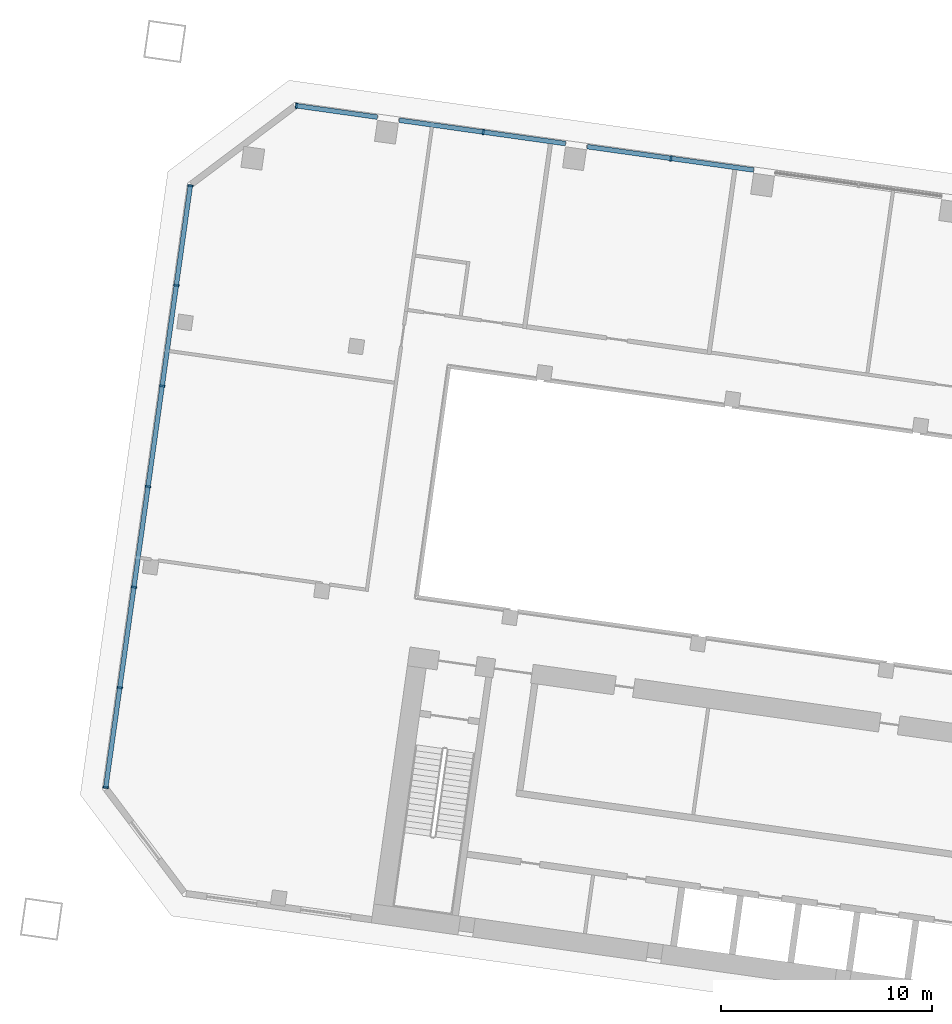
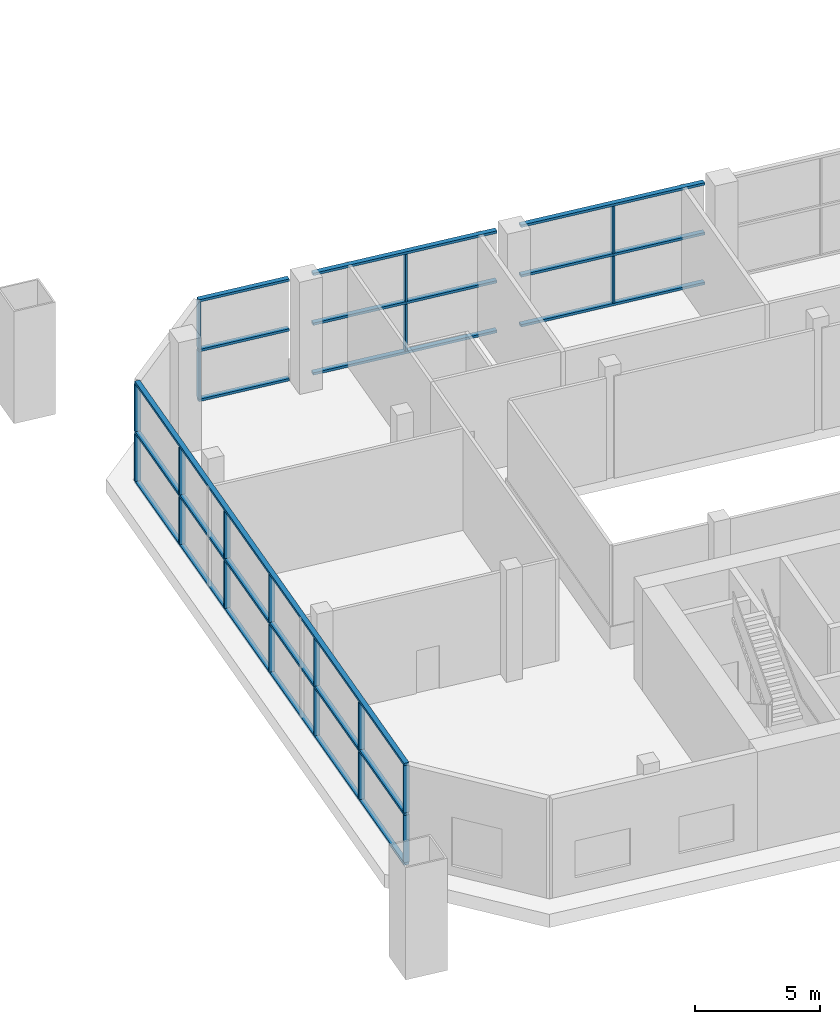
# One storey, part 2 of 23: 32 members, 2 elements without a shape of their own.
"""IFC4 building model written with IfcOpenShell, lengths in metres."""

import ifcopenshell
import ifcopenshell.guid

model = None  # the IFC model being written
_history = None  # IfcOwnerHistory: only IFC2X3 demands one
_inside = {}  # id of a spatial element -> (the spatial element, [elements in it])
_under = {}  # id of a project, library or spatial element -> (it, [spatial elements below it])
_declared = {}  # id of a project -> (the project, [libraries it declares])
_typed = {}  # id of a type object -> (the type object, [elements of that type])
_made_of = {}  # id of a material, layer set ... -> (it, [elements and type objects made of it])


def new_model(schema):
    """Start an empty IFC model of exactly this schema.

    Asked for "IFC4X3", IfcOpenShell would pick the latest addendum, in which some entities
    have other attributes; the version numbers below select the first issue.
    IFC2X3 requires an IfcOwnerHistory on every rooted entity: one is made here for all.
    """
    global model, _history
    if schema == "IFC4X3":
        model = ifcopenshell.file(schema_version=(4, 3, 0, 0))
    else:
        model = ifcopenshell.file(schema=schema)
    _inside.clear()
    _under.clear()
    _declared.clear()
    _typed.clear()
    _made_of.clear()
    _history = None
    if model.schema == "IFC2X3":
        org = make("IfcOrganization", Name="unknown")
        user = make(
            "IfcPersonAndOrganization",
            ThePerson=make("IfcPerson", FamilyName="unknown"),
            TheOrganization=org,
        )
        app = make(
            "IfcApplication",
            ApplicationDeveloper=org,
            Version="unknown",
            ApplicationFullName="unknown",
            ApplicationIdentifier="unknown",
        )
        _history = make(
            "IfcOwnerHistory",
            OwningUser=user,
            OwningApplication=app,
            ChangeAction="ADDED",
            CreationDate=0,
        )
    return model


def make(cls, **values):
    """One entity of the class cls with the attributes given. An attribute that is None is left unset."""
    return model.create_entity(
        cls, **{name: value for name, value in values.items() if value is not None}
    )


def rooted(cls, **values):
    """An entity with a GlobalId (a new one), such as an element, a storey or a relation."""
    return make(cls, GlobalId=ifcopenshell.guid.new(), OwnerHistory=_history, **values)


def si_unit(unit_type, name, prefix=None):
    """IfcSIUnit, for example si_unit("LENGTHUNIT", "METRE", prefix="MILLI")."""
    return make("IfcSIUnit", UnitType=unit_type, Prefix=prefix, Name=name)


def assignment(units):
    """IfcUnitAssignment: the units of a project."""
    return None if units is None else make("IfcUnitAssignment", Units=units)


def point(xyz):
    """IfcCartesianPoint."""
    return None if xyz is None else make("IfcCartesianPoint", Coordinates=xyz)


def direction(xyz):
    """IfcDirection."""
    return None if xyz is None else make("IfcDirection", DirectionRatios=xyz)


def frame(location, z_axis=None, x_axis=None):
    """IfcAxis2Placement3D, a coordinate frame: its origin and axes. An axis left out is left unset."""
    return make(
        "IfcAxis2Placement3D",
        Location=point(location),
        Axis=direction(z_axis),
        RefDirection=direction(x_axis),
    )


def frame_2d(location, x_axis=None):
    """IfcAxis2Placement2D, a coordinate frame in the plane: its origin and x axis."""
    return make(
        "IfcAxis2Placement2D", Location=point(location), RefDirection=direction(x_axis)
    )


def origin():
    """The frame at (0, 0, 0) with its axes left unset."""
    return frame((0.0, 0.0, 0.0))


def origin_2d():
    """The frame at (0, 0) in the plane with its x axis left unset."""
    return frame_2d((0.0, 0.0))


def place(relative_to, where):
    """IfcLocalPlacement: puts the frame where relative to a parent placement (None: the world)."""
    return make(
        "IfcLocalPlacement", PlacementRelTo=relative_to, RelativePlacement=where
    )


def context(
    kind, dimensions, precision=None, world=None, true_north=None, identifier=None
):
    """IfcGeometricRepresentationContext, for example the 3D "Model" context."""
    return make(
        "IfcGeometricRepresentationContext",
        ContextIdentifier=identifier,
        ContextType=kind,
        CoordinateSpaceDimension=dimensions,
        Precision=precision,
        WorldCoordinateSystem=world,
        TrueNorth=true_north,
    )


def subcontext(parent, identifier, kind, view, scale=None):
    """IfcGeometricRepresentationSubContext, for example "Body" below "Model"."""
    return make(
        "IfcGeometricRepresentationSubContext",
        ContextIdentifier=identifier,
        ContextType=kind,
        ParentContext=parent,
        TargetScale=scale,
        TargetView=view,
    )


def project(units=None, contexts=None):
    """IfcProject with its units and contexts."""
    return rooted(
        "IfcProject",
        Name="project",
        RepresentationContexts=contexts,
        UnitsInContext=assignment(units),
    )


def spatial(cls, under=None, at=None, **own):
    """A site, building, storey or space (cls), placed at a placement, below another one or the project."""
    s = rooted(cls, ObjectPlacement=at, **own)
    if under is not None:
        _under.setdefault(under.id(), (under, []))[1].append(s)
    return s


def profile(cls, at=None, kind="AREA", **sizes):
    """A parametric profile (cls). Its sizes go by their IFC names, for example OverallWidth=200.0."""
    return make(cls, ProfileType=kind, Position=at, **sizes)


def rectangle(**sizes):
    """IfcRectangleProfileDef."""
    return profile("IfcRectangleProfileDef", **sizes)


def extrude(swept, where, along, depth):
    """IfcExtrudedAreaSolid: the profile swept, set in the frame where, extruded along a direction by depth."""
    return make(
        "IfcExtrudedAreaSolid",
        SweptArea=swept,
        Position=where,
        ExtrudedDirection=direction(along),
        Depth=depth,
    )


def shape(context_of_items, identifier, shape_type, items):
    """IfcShapeRepresentation: the items that make up one representation, for example the "Body"."""
    return make(
        "IfcShapeRepresentation",
        ContextOfItems=context_of_items,
        RepresentationIdentifier=identifier,
        RepresentationType=shape_type,
        Items=items,
    )


def material(Name=None, Category=None):
    """IfcMaterial."""
    return make("IfcMaterial", Name=Name, Category=Category)


def material_profile(
    of_material, cross_section, Name=None, Category=None, Priority=None
):
    """IfcMaterialProfile: a cross section and its material."""
    return make(
        "IfcMaterialProfile",
        Name=Name,
        Material=of_material,
        Profile=cross_section,
        Priority=Priority,
        Category=Category,
    )


def profile_set(profiles, Name=None, composite=None):
    """IfcMaterialProfileSet."""
    return make(
        "IfcMaterialProfileSet",
        Name=Name,
        MaterialProfiles=profiles,
        CompositeProfile=composite,
    )


def made_of(thing, what):
    """Note that an element or type object is made of a material, layer set ...; save() writes the relation."""
    if what is not None:
        _made_of.setdefault(what.id(), (what, []))[1].append(thing)
    return thing


def type_object(cls, material=None, **own):
    """A type object (cls), such as IfcWallType, which elements share."""
    return made_of(rooted(cls, **own), material)


def element(
    cls,
    number,
    at=None,
    inside=None,
    cuts=None,
    type_object=None,
    material=None,
    context=None,
    identifier="Body",
    shape_type=None,
    held_by="IfcProductDefinitionShape",
    body=None,
    shapes=None,
    **own,
):
    """One element of the class cls, such as IfcWall. Its Tag is "e" and its number.

    at: its placement. inside: the storey or other place that contains it. cuts: it is an
    opening in that element (IfcRelVoidsElement). A single representation is given by context,
    identifier, shape_type and body (its items); several are given by shapes. held_by: the class
    of the entity that holds the representations. save() writes the other relations.
    """
    e = rooted(cls, Tag="e%d" % number, ObjectPlacement=at, **own)
    if body is not None:
        shapes = [shape(context, identifier, shape_type, body)]
    if shapes is not None:
        e.Representation = make(held_by, Representations=shapes)
    if inside is not None:
        _inside.setdefault(inside.id(), (inside, []))[1].append(e)
    if cuts is not None:
        rooted(
            "IfcRelVoidsElement", RelatingBuildingElement=cuts, RelatedOpeningElement=e
        )
    if type_object is not None:
        _typed.setdefault(type_object.id(), (type_object, []))[1].append(e)
    return made_of(e, material)


def aggregate(whole, parts):
    """IfcRelAggregates: a whole, such as a stair, and the parts it consists of."""
    return rooted("IfcRelAggregates", RelatingObject=whole, RelatedObjects=parts)


def save(model, path):
    """Write the relations noted so far, then the file.

    IfcRelAggregates (storeys below a building ...), IfcRelContainedInSpatialStructure (elements
    in a storey), IfcRelDefinesByType, IfcRelAssociatesMaterial and IfcRelDeclares: one each for
    every whole, place, type object, material and project.
    """
    for whole, parts in _under.values():
        aggregate(whole, parts)
    for where, things in _inside.values():
        rooted(
            "IfcRelContainedInSpatialStructure",
            RelatedElements=things,
            RelatingStructure=where,
        )
    for kind, things in _typed.values():
        rooted("IfcRelDefinesByType", RelatedObjects=things, RelatingType=kind)
    for what, things in _made_of.values():
        rooted("IfcRelAssociatesMaterial", RelatedObjects=things, RelatingMaterial=what)
    for by, libraries in _declared.values():
        rooted("IfcRelDeclares", RelatingContext=by, RelatedDefinitions=libraries)
    model.write(path)


model = new_model("IFC4")

# Units and contexts
model_context = context("Model", 3, precision=1e-05, world=origin(), true_north=direction((0.0, 1.0)))
body_context = subcontext(model_context, "Body", "Model", "MODEL_VIEW")
ifc_project = project(units=[si_unit("LENGTHUNIT", "METRE"), si_unit("AREAUNIT", "SQUARE_METRE"), si_unit("VOLUMEUNIT", "CUBIC_METRE"), si_unit("PLANEANGLEUNIT", "RADIAN"), si_unit("MASSUNIT", "GRAM", prefix="KILO")], contexts=[model_context])

# Site, building, storey
site_placement = place(None, origin())
site = spatial("IfcSite", under=ifc_project, at=site_placement, CompositionType="ELEMENT")
building_placement = place(site_placement, origin())
building = spatial("IfcBuilding", under=site, at=building_placement, Name="Mirante Cascada Hotel Towers", CompositionType="ELEMENT")
storey_placement = place(building_placement, frame((0.0, 0.0, 29.0)))
storey = spatial("IfcBuildingStorey", under=building, at=storey_placement, Name="L04", CompositionType="ELEMENT", Elevation=29.0)

# Curtain wall, members
ifc_material_1 = material(Name="Aluminium mullion and transom frame with clear laminated glass", Category="aluminium")
curtain_wall_type = type_object("IfcCurtainWallType", Name="Podium curtain wall ECW3", PredefinedType="NOTDEFINED", material=ifc_material_1)
curtain_wall_1_placement = place(storey_placement, origin())
curtain_wall_1 = element("IfcCurtainWall", 1, at=curtain_wall_1_placement, inside=storey, type_object=curtain_wall_type, Name="Front podium glazing T1 L04", PredefinedType="NOTDEFINED")
ifc_material_2 = material(Name="Anodised aluminium extrusion", Category="aluminium")
ifc_material_profile_1 = material_profile(ifc_material_2, rectangle(XDim=0.26, YDim=0.08, at=origin_2d()), Name="ECW3 MULLION 80x260")
ifc_profile_set_1 = profile_set([ifc_material_profile_1], Name="Anodised aluminium extrusion")
member_type_1 = type_object("IfcMemberType", Name="ECW3 mullion 80x260", PredefinedType="MULLION", material=ifc_profile_set_1)
member_1_placement = place(storey_placement, frame((-94.1185, 26.0465, 0.12), z_axis=(0.0, 0.0, 1.0), x_axis=(0.1391731, 0.9902681, 0.0)))
member_1 = element("IfcMember", 2, at=member_1_placement, type_object=member_type_1, Name="ECW3 mullion 1", PredefinedType="MULLION", context=body_context, shape_type="SweptSolid", body=[
    extrude(rectangle(XDim=0.26, YDim=0.08, at=origin_2d()), origin(), (0.0, 0.0, 1.0), 2.32),
])
member_2_placement = place(storey_placement, frame((-94.1185, 26.0465, 2.56), z_axis=(0.0, 0.0, 1.0), x_axis=(0.1391731, 0.9902681, 0.0)))
member_2 = element("IfcMember", 3, at=member_2_placement, type_object=member_type_1, Name="ECW3 mullion 1", PredefinedType="MULLION", context=body_context, shape_type="SweptSolid", body=[
    extrude(rectangle(XDim=0.26, YDim=0.08, at=origin_2d()), origin(), (0.0, 0.0, 1.0), 2.32),
])
member_3_placement = place(storey_placement, frame((-85.2633, 24.802, 0.12), z_axis=(0.0, 0.0, 1.0), x_axis=(0.1391731, 0.9902681, 0.0)))
member_3 = element("IfcMember", 4, at=member_3_placement, type_object=member_type_1, Name="ECW3 mullion 3", PredefinedType="MULLION", context=body_context, shape_type="SweptSolid", body=[
    extrude(rectangle(XDim=0.26, YDim=0.08, at=origin_2d()), origin(), (0.0, 0.0, 1.0), 2.32),
])
member_4_placement = place(storey_placement, frame((-85.2633, 24.802, 2.56), z_axis=(0.0, 0.0, 1.0), x_axis=(0.1391731, 0.9902681, 0.0)))
member_4 = element("IfcMember", 5, at=member_4_placement, type_object=member_type_1, Name="ECW3 mullion 3", PredefinedType="MULLION", context=body_context, shape_type="SweptSolid", body=[
    extrude(rectangle(XDim=0.26, YDim=0.08, at=origin_2d()), origin(), (0.0, 0.0, 1.0), 2.32),
])
member_5_placement = place(storey_placement, frame((-76.3685, 23.5519, 0.12), z_axis=(0.0, 0.0, 1.0), x_axis=(0.1391731, 0.9902681, 0.0)))
member_5 = element("IfcMember", 6, at=member_5_placement, type_object=member_type_1, Name="ECW3 mullion 5", PredefinedType="MULLION", context=body_context, shape_type="SweptSolid", body=[
    extrude(rectangle(XDim=0.26, YDim=0.08, at=origin_2d()), origin(), (0.0, 0.0, 1.0), 2.32),
])
member_6_placement = place(storey_placement, frame((-76.3685, 23.5519, 2.56), z_axis=(0.0, 0.0, 1.0), x_axis=(0.1391731, 0.9902681, 0.0)))
member_6 = element("IfcMember", 7, at=member_6_placement, type_object=member_type_1, Name="ECW3 mullion 5", PredefinedType="MULLION", context=body_context, shape_type="SweptSolid", body=[
    extrude(rectangle(XDim=0.26, YDim=0.08, at=origin_2d()), origin(), (0.0, 0.0, 1.0), 2.32),
])

curtain_wall_2_placement = place(storey_placement, origin())
curtain_wall_2 = element("IfcCurtainWall", 8, at=curtain_wall_2_placement, inside=storey, type_object=curtain_wall_type, Name="Outer end podium glazing T1 L04", PredefinedType="NOTDEFINED")
member_7_placement = place(storey_placement, frame((-103.1546, -6.2582, 0.12), z_axis=(0.0, 0.0, 1.0), x_axis=(-0.9902681, 0.1391731, 0.0)))
member_7 = element("IfcMember", 9, at=member_7_placement, type_object=member_type_1, Name="ECW3 mullion 1", PredefinedType="MULLION", context=body_context, shape_type="SweptSolid", body=[
    extrude(rectangle(XDim=0.26, YDim=0.08, at=origin_2d()), origin(), (0.0, 0.0, 1.0), 2.32),
])
member_8_placement = place(storey_placement, frame((-103.1546, -6.2582, 2.56), z_axis=(0.0, 0.0, 1.0), x_axis=(-0.9902681, 0.1391731, 0.0)))
member_8 = element("IfcMember", 10, at=member_8_placement, type_object=member_type_1, Name="ECW3 mullion 1", PredefinedType="MULLION", context=body_context, shape_type="SweptSolid", body=[
    extrude(rectangle(XDim=0.26, YDim=0.08, at=origin_2d()), origin(), (0.0, 0.0, 1.0), 2.32),
])
member_9_placement = place(storey_placement, frame((-102.4903, -1.532, 0.12), z_axis=(0.0, 0.0, 1.0), x_axis=(-0.9902681, 0.1391731, 0.0)))
member_9 = element("IfcMember", 11, at=member_9_placement, type_object=member_type_1, Name="ECW3 mullion 2", PredefinedType="MULLION", context=body_context, shape_type="SweptSolid", body=[
    extrude(rectangle(XDim=0.26, YDim=0.08, at=origin_2d()), origin(), (0.0, 0.0, 1.0), 2.32),
])
member_10_placement = place(storey_placement, frame((-102.4903, -1.532, 2.56), z_axis=(0.0, 0.0, 1.0), x_axis=(-0.9902681, 0.1391731, 0.0)))
member_10 = element("IfcMember", 12, at=member_10_placement, type_object=member_type_1, Name="ECW3 mullion 2", PredefinedType="MULLION", context=body_context, shape_type="SweptSolid", body=[
    extrude(rectangle(XDim=0.26, YDim=0.08, at=origin_2d()), origin(), (0.0, 0.0, 1.0), 2.32),
])
member_11_placement = place(storey_placement, frame((-101.8205, 3.2338, 0.12), z_axis=(0.0, 0.0, 1.0), x_axis=(-0.9902681, 0.1391731, 0.0)))
member_11 = element("IfcMember", 13, at=member_11_placement, type_object=member_type_1, Name="ECW3 mullion 3", PredefinedType="MULLION", context=body_context, shape_type="SweptSolid", body=[
    extrude(rectangle(XDim=0.26, YDim=0.08, at=origin_2d()), origin(), (0.0, 0.0, 1.0), 2.32),
])
member_12_placement = place(storey_placement, frame((-101.8205, 3.2338, 2.56), z_axis=(0.0, 0.0, 1.0), x_axis=(-0.9902681, 0.1391731, 0.0)))
member_12 = element("IfcMember", 14, at=member_12_placement, type_object=member_type_1, Name="ECW3 mullion 3", PredefinedType="MULLION", context=body_context, shape_type="SweptSolid", body=[
    extrude(rectangle(XDim=0.26, YDim=0.08, at=origin_2d()), origin(), (0.0, 0.0, 1.0), 2.32),
])
member_13_placement = place(storey_placement, frame((-101.1508, 7.9996, 0.12), z_axis=(0.0, 0.0, 1.0), x_axis=(-0.9902681, 0.1391731, 0.0)))
member_13 = element("IfcMember", 15, at=member_13_placement, type_object=member_type_1, Name="ECW3 mullion 4", PredefinedType="MULLION", context=body_context, shape_type="SweptSolid", body=[
    extrude(rectangle(XDim=0.26, YDim=0.08, at=origin_2d()), origin(), (0.0, 0.0, 1.0), 2.32),
])
member_14_placement = place(storey_placement, frame((-101.1508, 7.9996, 2.56), z_axis=(0.0, 0.0, 1.0), x_axis=(-0.9902681, 0.1391731, 0.0)))
member_14 = element("IfcMember", 16, at=member_14_placement, type_object=member_type_1, Name="ECW3 mullion 4", PredefinedType="MULLION", context=body_context, shape_type="SweptSolid", body=[
    extrude(rectangle(XDim=0.26, YDim=0.08, at=origin_2d()), origin(), (0.0, 0.0, 1.0), 2.32),
])
member_15_placement = place(storey_placement, frame((-100.481, 12.7654, 0.12), z_axis=(0.0, 0.0, 1.0), x_axis=(-0.9902681, 0.1391731, 0.0)))
member_15 = element("IfcMember", 17, at=member_15_placement, type_object=member_type_1, Name="ECW3 mullion 5", PredefinedType="MULLION", context=body_context, shape_type="SweptSolid", body=[
    extrude(rectangle(XDim=0.26, YDim=0.08, at=origin_2d()), origin(), (0.0, 0.0, 1.0), 2.32),
])
member_16_placement = place(storey_placement, frame((-100.481, 12.7654, 2.56), z_axis=(0.0, 0.0, 1.0), x_axis=(-0.9902681, 0.1391731, 0.0)))
member_16 = element("IfcMember", 18, at=member_16_placement, type_object=member_type_1, Name="ECW3 mullion 5", PredefinedType="MULLION", context=body_context, shape_type="SweptSolid", body=[
    extrude(rectangle(XDim=0.26, YDim=0.08, at=origin_2d()), origin(), (0.0, 0.0, 1.0), 2.32),
])
member_17_placement = place(storey_placement, frame((-99.8112, 17.5312, 0.12), z_axis=(0.0, 0.0, 1.0), x_axis=(-0.9902681, 0.1391731, 0.0)))
member_17 = element("IfcMember", 19, at=member_17_placement, type_object=member_type_1, Name="ECW3 mullion 6", PredefinedType="MULLION", context=body_context, shape_type="SweptSolid", body=[
    extrude(rectangle(XDim=0.26, YDim=0.08, at=origin_2d()), origin(), (0.0, 0.0, 1.0), 2.32),
])
member_18_placement = place(storey_placement, frame((-99.8112, 17.5312, 2.56), z_axis=(0.0, 0.0, 1.0), x_axis=(-0.9902681, 0.1391731, 0.0)))
member_18 = element("IfcMember", 20, at=member_18_placement, type_object=member_type_1, Name="ECW3 mullion 6", PredefinedType="MULLION", context=body_context, shape_type="SweptSolid", body=[
    extrude(rectangle(XDim=0.26, YDim=0.08, at=origin_2d()), origin(), (0.0, 0.0, 1.0), 2.32),
])
member_19_placement = place(storey_placement, frame((-99.147, 22.2573, 0.12), z_axis=(0.0, 0.0, 1.0), x_axis=(-0.9902681, 0.1391731, 0.0)))
member_19 = element("IfcMember", 21, at=member_19_placement, type_object=member_type_1, Name="ECW3 mullion 7", PredefinedType="MULLION", context=body_context, shape_type="SweptSolid", body=[
    extrude(rectangle(XDim=0.26, YDim=0.08, at=origin_2d()), origin(), (0.0, 0.0, 1.0), 2.32),
])
member_20_placement = place(storey_placement, frame((-99.147, 22.2573, 2.56), z_axis=(0.0, 0.0, 1.0), x_axis=(-0.9902681, 0.1391731, 0.0)))
member_20 = element("IfcMember", 22, at=member_20_placement, type_object=member_type_1, Name="ECW3 mullion 7", PredefinedType="MULLION", context=body_context, shape_type="SweptSolid", body=[
    extrude(rectangle(XDim=0.26, YDim=0.08, at=origin_2d()), origin(), (0.0, 0.0, 1.0), 2.32),
])

# Member
ifc_material_3 = material(Name="Anodised aluminium extrusion", Category="aluminium")
ifc_material_profile_2 = material_profile(ifc_material_3, rectangle(XDim=0.22, YDim=0.12, at=origin_2d()), Name="ECW3 TRANSOM 120x220")
ifc_profile_set_2 = profile_set([ifc_material_profile_2], Name="Anodised aluminium extrusion")
member_type_2 = type_object("IfcMemberType", Name="ECW3 transom 120x220", PredefinedType="USERDEFINED", material=ifc_profile_set_2)
member_21_placement = place(storey_placement, frame((-94.1582, 26.0521, 0.06), z_axis=(0.990267, -0.1391805, 0.0), x_axis=(0.1391805, 0.990267, 0.0)))
member_21 = element("IfcMember", 23, at=member_21_placement, type_object=member_type_2, Name="ECW3 sill transom", ObjectType="TRANSOM", PredefinedType="USERDEFINED", context=body_context, shape_type="SweptSolid", body=[
    extrude(rectangle(XDim=0.22, YDim=0.12, at=origin_2d()), origin(), (0.0, 0.0, 1.0), 3.9179),
])

member_22_placement = place(storey_placement, frame((-89.2485, 25.3621, 0.06), z_axis=(0.9902683, -0.1391715, 0.0), x_axis=(0.1391715, 0.9902683, 0.0)))
member_22 = element("IfcMember", 24, at=member_22_placement, type_object=member_type_2, Name="ECW3 sill transom", ObjectType="TRANSOM", PredefinedType="USERDEFINED", context=body_context, shape_type="SweptSolid", body=[
    extrude(rectangle(XDim=0.22, YDim=0.12, at=origin_2d()), origin(), (0.0, 0.0, 1.0), 7.96),
])

member_23_placement = place(storey_placement, frame((-80.3361, 24.1095, 0.06), z_axis=(0.9902683, -0.1391715, 0.0), x_axis=(0.1391715, 0.9902683, 0.0)))
member_23 = element("IfcMember", 25, at=member_23_placement, type_object=member_type_2, Name="ECW3 sill transom", ObjectType="TRANSOM", PredefinedType="USERDEFINED", context=body_context, shape_type="SweptSolid", body=[
    extrude(rectangle(XDim=0.22, YDim=0.12, at=origin_2d()), origin(), (0.0, 0.0, 1.0), 7.96),
])

member_24_placement = place(storey_placement, frame((-94.1582, 26.0521, 2.5), z_axis=(0.990267, -0.1391805, 0.0), x_axis=(0.1391805, 0.990267, 0.0)))
member_24 = element("IfcMember", 26, at=member_24_placement, type_object=member_type_2, Name="ECW3 intermediate transom", ObjectType="TRANSOM", PredefinedType="USERDEFINED", context=body_context, shape_type="SweptSolid", body=[
    extrude(rectangle(XDim=0.22, YDim=0.12, at=origin_2d()), origin(), (0.0, 0.0, 1.0), 3.9179),
])

member_25_placement = place(storey_placement, frame((-89.2485, 25.3621, 2.5), z_axis=(0.9902683, -0.1391715, 0.0), x_axis=(0.1391715, 0.9902683, 0.0)))
member_25 = element("IfcMember", 27, at=member_25_placement, type_object=member_type_2, Name="ECW3 intermediate transom", ObjectType="TRANSOM", PredefinedType="USERDEFINED", context=body_context, shape_type="SweptSolid", body=[
    extrude(rectangle(XDim=0.22, YDim=0.12, at=origin_2d()), origin(), (0.0, 0.0, 1.0), 7.96),
])

member_26_placement = place(storey_placement, frame((-80.3361, 24.1095, 2.5), z_axis=(0.9902683, -0.1391715, 0.0), x_axis=(0.1391715, 0.9902683, 0.0)))
member_26 = element("IfcMember", 28, at=member_26_placement, type_object=member_type_2, Name="ECW3 intermediate transom", ObjectType="TRANSOM", PredefinedType="USERDEFINED", context=body_context, shape_type="SweptSolid", body=[
    extrude(rectangle(XDim=0.22, YDim=0.12, at=origin_2d()), origin(), (0.0, 0.0, 1.0), 7.96),
])

member_27_placement = place(storey_placement, frame((-94.1582, 26.0521, 4.94), z_axis=(0.990267, -0.1391805, 0.0), x_axis=(0.1391805, 0.990267, 0.0)))
member_27 = element("IfcMember", 29, at=member_27_placement, type_object=member_type_2, Name="ECW3 head transom", ObjectType="TRANSOM", PredefinedType="USERDEFINED", context=body_context, shape_type="SweptSolid", body=[
    extrude(rectangle(XDim=0.22, YDim=0.12, at=origin_2d()), origin(), (0.0, 0.0, 1.0), 3.9179),
])

member_28_placement = place(storey_placement, frame((-89.2485, 25.3621, 4.94), z_axis=(0.9902683, -0.1391715, 0.0), x_axis=(0.1391715, 0.9902683, 0.0)))
member_28 = element("IfcMember", 30, at=member_28_placement, type_object=member_type_2, Name="ECW3 head transom", ObjectType="TRANSOM", PredefinedType="USERDEFINED", context=body_context, shape_type="SweptSolid", body=[
    extrude(rectangle(XDim=0.22, YDim=0.12, at=origin_2d()), origin(), (0.0, 0.0, 1.0), 7.96),
])

member_29_placement = place(storey_placement, frame((-80.3361, 24.1095, 4.94), z_axis=(0.9902683, -0.1391715, 0.0), x_axis=(0.1391715, 0.9902683, 0.0)))
member_29 = element("IfcMember", 31, at=member_29_placement, type_object=member_type_2, Name="ECW3 head transom", ObjectType="TRANSOM", PredefinedType="USERDEFINED", context=body_context, shape_type="SweptSolid", body=[
    extrude(rectangle(XDim=0.22, YDim=0.12, at=origin_2d()), origin(), (0.0, 0.0, 1.0), 7.96),
])

aggregate(curtain_wall_1, [member_21, member_22, member_23, member_24, member_25, member_26, member_27, member_28, member_29, member_1, member_2, member_3, member_4, member_5, member_6])

member_30_placement = place(storey_placement, frame((-103.1601, -6.2978, 0.06), z_axis=(0.1391723, 0.9902682, 0.0), x_axis=(-0.9902682, 0.1391723, 0.0)))
member_30 = element("IfcMember", 32, at=member_30_placement, type_object=member_type_2, Name="ECW3 sill transom", ObjectType="TRANSOM", PredefinedType="USERDEFINED", context=body_context, shape_type="SweptSolid", body=[
    extrude(rectangle(XDim=0.22, YDim=0.12, at=origin_2d()), origin(), (0.0, 0.0, 1.0), 28.8757),
])

member_31_placement = place(storey_placement, frame((-103.1601, -6.2978, 2.5), z_axis=(0.1391723, 0.9902682, 0.0), x_axis=(-0.9902682, 0.1391723, 0.0)))
member_31 = element("IfcMember", 33, at=member_31_placement, type_object=member_type_2, Name="ECW3 intermediate transom", ObjectType="TRANSOM", PredefinedType="USERDEFINED", context=body_context, shape_type="SweptSolid", body=[
    extrude(rectangle(XDim=0.22, YDim=0.12, at=origin_2d()), origin(), (0.0, 0.0, 1.0), 28.8757),
])

member_32_placement = place(storey_placement, frame((-103.1601, -6.2978, 4.94), z_axis=(0.1391723, 0.9902682, 0.0), x_axis=(-0.9902682, 0.1391723, 0.0)))
member_32 = element("IfcMember", 34, at=member_32_placement, type_object=member_type_2, Name="ECW3 head transom", ObjectType="TRANSOM", PredefinedType="USERDEFINED", context=body_context, shape_type="SweptSolid", body=[
    extrude(rectangle(XDim=0.22, YDim=0.12, at=origin_2d()), origin(), (0.0, 0.0, 1.0), 28.8757),
])

aggregate(curtain_wall_2, [member_30, member_31, member_32, member_7, member_8, member_9, member_10, member_11, member_12, member_13, member_14, member_15, member_16, member_17, member_18, member_19, member_20])

save(model, "model.ifc")
